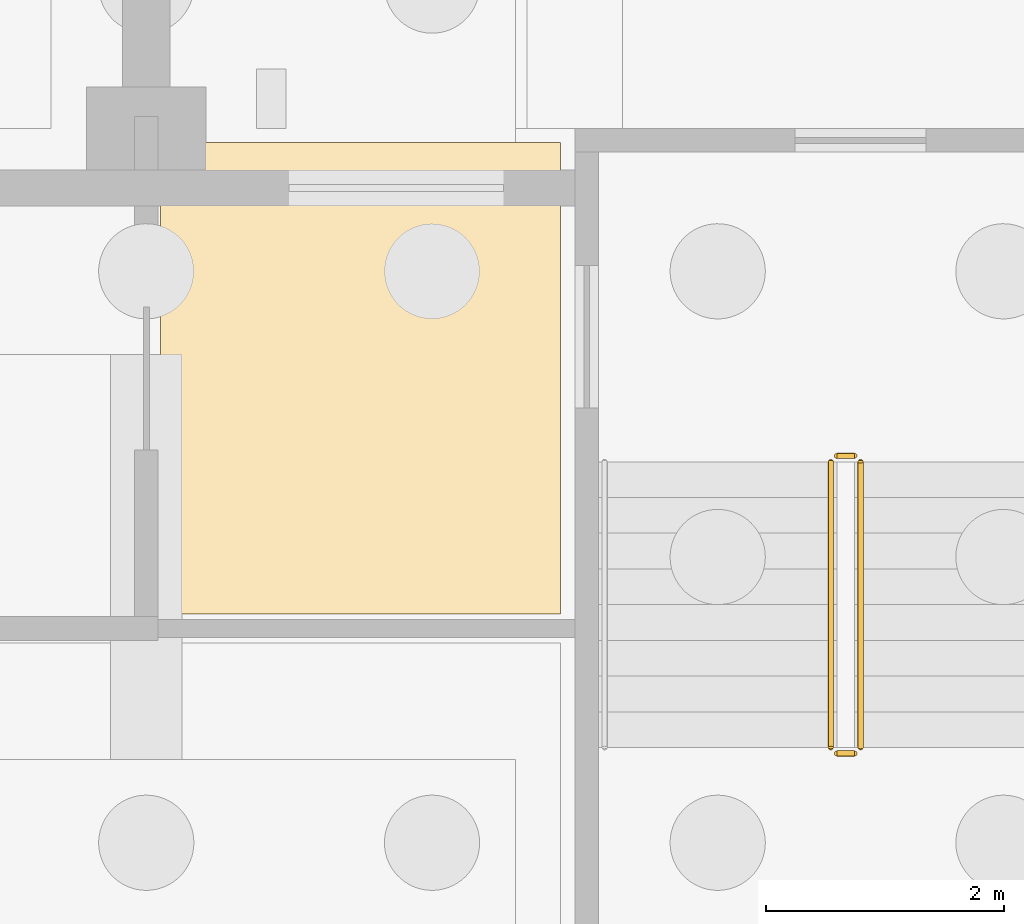
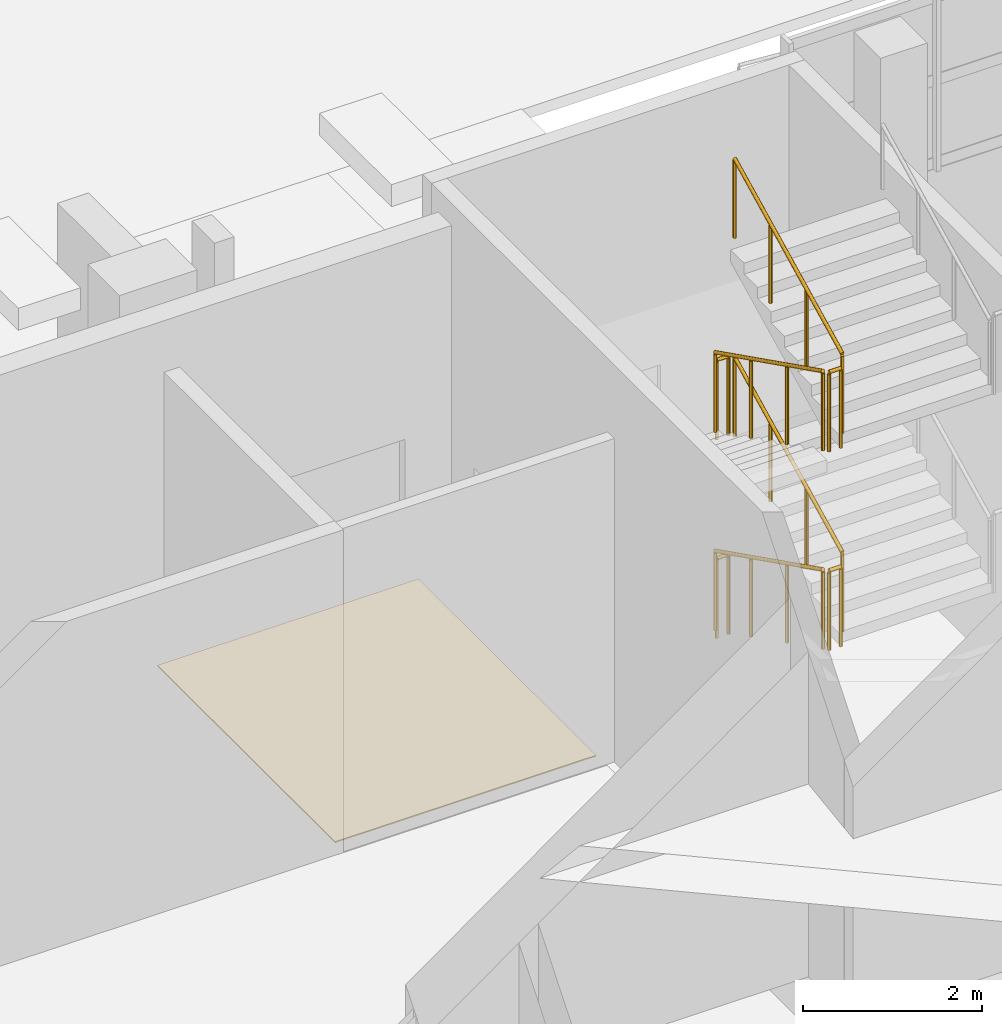
# One storey, part 116 of 129: 8 railings, 1 covering.
"""IFC4 building model written with IfcOpenShell, lengths in metres."""

import ifcopenshell
import ifcopenshell.guid

model = None  # the IFC model being written
_history = None  # IfcOwnerHistory: only IFC2X3 demands one
_inside = {}  # id of a spatial element -> (the spatial element, [elements in it])
_under = {}  # id of a project, library or spatial element -> (it, [spatial elements below it])
_declared = {}  # id of a project -> (the project, [libraries it declares])
_typed = {}  # id of a type object -> (the type object, [elements of that type])
_made_of = {}  # id of a material, layer set ... -> (it, [elements and type objects made of it])


def new_model(schema):
    """Start an empty IFC model of exactly this schema.

    Asked for "IFC4X3", IfcOpenShell would pick the latest addendum, in which some entities
    have other attributes; the version numbers below select the first issue.
    IFC2X3 requires an IfcOwnerHistory on every rooted entity: one is made here for all.
    """
    global model, _history
    if schema == "IFC4X3":
        model = ifcopenshell.file(schema_version=(4, 3, 0, 0))
    else:
        model = ifcopenshell.file(schema=schema)
    _inside.clear()
    _under.clear()
    _declared.clear()
    _typed.clear()
    _made_of.clear()
    _history = None
    if model.schema == "IFC2X3":
        org = make("IfcOrganization", Name="unknown")
        user = make(
            "IfcPersonAndOrganization",
            ThePerson=make("IfcPerson", FamilyName="unknown"),
            TheOrganization=org,
        )
        app = make(
            "IfcApplication",
            ApplicationDeveloper=org,
            Version="unknown",
            ApplicationFullName="unknown",
            ApplicationIdentifier="unknown",
        )
        _history = make(
            "IfcOwnerHistory",
            OwningUser=user,
            OwningApplication=app,
            ChangeAction="ADDED",
            CreationDate=0,
        )
    return model


def make(cls, **values):
    """One entity of the class cls with the attributes given. An attribute that is None is left unset."""
    return model.create_entity(
        cls, **{name: value for name, value in values.items() if value is not None}
    )


def rooted(cls, **values):
    """An entity with a GlobalId (a new one), such as an element, a storey or a relation."""
    return make(cls, GlobalId=ifcopenshell.guid.new(), OwnerHistory=_history, **values)


def si_unit(unit_type, name, prefix=None):
    """IfcSIUnit, for example si_unit("LENGTHUNIT", "METRE", prefix="MILLI")."""
    return make("IfcSIUnit", UnitType=unit_type, Prefix=prefix, Name=name)


def assignment(units):
    """IfcUnitAssignment: the units of a project."""
    return None if units is None else make("IfcUnitAssignment", Units=units)


def point(xyz):
    """IfcCartesianPoint."""
    return None if xyz is None else make("IfcCartesianPoint", Coordinates=xyz)


def direction(xyz):
    """IfcDirection."""
    return None if xyz is None else make("IfcDirection", DirectionRatios=xyz)


def frame(location, z_axis=None, x_axis=None):
    """IfcAxis2Placement3D, a coordinate frame: its origin and axes. An axis left out is left unset."""
    return make(
        "IfcAxis2Placement3D",
        Location=point(location),
        Axis=direction(z_axis),
        RefDirection=direction(x_axis),
    )


def frame_2d(location, x_axis=None):
    """IfcAxis2Placement2D, a coordinate frame in the plane: its origin and x axis."""
    return make(
        "IfcAxis2Placement2D", Location=point(location), RefDirection=direction(x_axis)
    )


def origin():
    """The frame at (0, 0, 0) with its axes left unset."""
    return frame((0.0, 0.0, 0.0))


def origin_2d():
    """The frame at (0, 0) in the plane with its x axis left unset."""
    return frame_2d((0.0, 0.0))


def place(relative_to, where):
    """IfcLocalPlacement: puts the frame where relative to a parent placement (None: the world)."""
    return make(
        "IfcLocalPlacement", PlacementRelTo=relative_to, RelativePlacement=where
    )


def context(
    kind, dimensions, precision=None, world=None, true_north=None, identifier=None
):
    """IfcGeometricRepresentationContext, for example the 3D "Model" context."""
    return make(
        "IfcGeometricRepresentationContext",
        ContextIdentifier=identifier,
        ContextType=kind,
        CoordinateSpaceDimension=dimensions,
        Precision=precision,
        WorldCoordinateSystem=world,
        TrueNorth=true_north,
    )


def subcontext(parent, identifier, kind, view, scale=None):
    """IfcGeometricRepresentationSubContext, for example "Body" below "Model"."""
    return make(
        "IfcGeometricRepresentationSubContext",
        ContextIdentifier=identifier,
        ContextType=kind,
        ParentContext=parent,
        TargetScale=scale,
        TargetView=view,
    )


def project(units=None, contexts=None):
    """IfcProject with its units and contexts."""
    return rooted(
        "IfcProject",
        Name="project",
        RepresentationContexts=contexts,
        UnitsInContext=assignment(units),
    )


def spatial(cls, under=None, at=None, **own):
    """A site, building, storey or space (cls), placed at a placement, below another one or the project."""
    s = rooted(cls, ObjectPlacement=at, **own)
    if under is not None:
        _under.setdefault(under.id(), (under, []))[1].append(s)
    return s


def polyline(points):
    """IfcPolyline through the points."""
    return make("IfcPolyline", Points=[point(p) for p in points])


def profile(cls, at=None, kind="AREA", **sizes):
    """A parametric profile (cls). Its sizes go by their IFC names, for example OverallWidth=200.0."""
    return make(cls, ProfileType=kind, Position=at, **sizes)


def circle(**sizes):
    """IfcCircleProfileDef."""
    return profile("IfcCircleProfileDef", **sizes)


def outline(outer, holes=None, kind="AREA"):
    """IfcArbitraryClosedProfileDef: a profile drawn as a closed curve; with holes, ...WithVoids."""
    if holes is None:
        return make("IfcArbitraryClosedProfileDef", ProfileType=kind, OuterCurve=outer)
    return make(
        "IfcArbitraryProfileDefWithVoids",
        ProfileType=kind,
        OuterCurve=outer,
        InnerCurves=holes,
    )


def extrude(swept, where, along, depth):
    """IfcExtrudedAreaSolid: the profile swept, set in the frame where, extruded along a direction by depth."""
    return make(
        "IfcExtrudedAreaSolid",
        SweptArea=swept,
        Position=where,
        ExtrudedDirection=direction(along),
        Depth=depth,
    )


def shape(context_of_items, identifier, shape_type, items):
    """IfcShapeRepresentation: the items that make up one representation, for example the "Body"."""
    return make(
        "IfcShapeRepresentation",
        ContextOfItems=context_of_items,
        RepresentationIdentifier=identifier,
        RepresentationType=shape_type,
        Items=items,
    )


def material(Name=None, Category=None):
    """IfcMaterial."""
    return make("IfcMaterial", Name=Name, Category=Category)


def layer(
    of_material, thickness, ventilated=None, Name=None, Category=None, Priority=None
):
    """IfcMaterialLayer: one layer of a wall or slab, of a material (None: an air gap)."""
    return make(
        "IfcMaterialLayer",
        Material=of_material,
        LayerThickness=thickness,
        IsVentilated=ventilated,
        Name=Name,
        Category=Category,
        Priority=Priority,
    )


def layer_set(layers, Name=None):
    """IfcMaterialLayerSet."""
    return make("IfcMaterialLayerSet", MaterialLayers=layers, LayerSetName=Name)


def made_of(thing, what):
    """Note that an element or type object is made of a material, layer set ...; save() writes the relation."""
    if what is not None:
        _made_of.setdefault(what.id(), (what, []))[1].append(thing)
    return thing


def type_object(cls, material=None, **own):
    """A type object (cls), such as IfcWallType, which elements share."""
    return made_of(rooted(cls, **own), material)


def element(
    cls,
    number,
    at=None,
    inside=None,
    cuts=None,
    type_object=None,
    material=None,
    context=None,
    identifier="Body",
    shape_type=None,
    held_by="IfcProductDefinitionShape",
    body=None,
    shapes=None,
    **own,
):
    """One element of the class cls, such as IfcWall. Its Tag is "e" and its number.

    at: its placement. inside: the storey or other place that contains it. cuts: it is an
    opening in that element (IfcRelVoidsElement). A single representation is given by context,
    identifier, shape_type and body (its items); several are given by shapes. held_by: the class
    of the entity that holds the representations. save() writes the other relations.
    """
    e = rooted(cls, Tag="e%d" % number, ObjectPlacement=at, **own)
    if body is not None:
        shapes = [shape(context, identifier, shape_type, body)]
    if shapes is not None:
        e.Representation = make(held_by, Representations=shapes)
    if inside is not None:
        _inside.setdefault(inside.id(), (inside, []))[1].append(e)
    if cuts is not None:
        rooted(
            "IfcRelVoidsElement", RelatingBuildingElement=cuts, RelatedOpeningElement=e
        )
    if type_object is not None:
        _typed.setdefault(type_object.id(), (type_object, []))[1].append(e)
    return made_of(e, material)


def aggregate(whole, parts):
    """IfcRelAggregates: a whole, such as a stair, and the parts it consists of."""
    return rooted("IfcRelAggregates", RelatingObject=whole, RelatedObjects=parts)


def save(model, path):
    """Write the relations noted so far, then the file.

    IfcRelAggregates (storeys below a building ...), IfcRelContainedInSpatialStructure (elements
    in a storey), IfcRelDefinesByType, IfcRelAssociatesMaterial and IfcRelDeclares: one each for
    every whole, place, type object, material and project.
    """
    for whole, parts in _under.values():
        aggregate(whole, parts)
    for where, things in _inside.values():
        rooted(
            "IfcRelContainedInSpatialStructure",
            RelatedElements=things,
            RelatingStructure=where,
        )
    for kind, things in _typed.values():
        rooted("IfcRelDefinesByType", RelatedObjects=things, RelatingType=kind)
    for what, things in _made_of.values():
        rooted("IfcRelAssociatesMaterial", RelatedObjects=things, RelatingMaterial=what)
    for by, libraries in _declared.values():
        rooted("IfcRelDeclares", RelatingContext=by, RelatedDefinitions=libraries)
    model.write(path)


model = new_model("IFC4")

# Units and contexts
model_context = context("Model", 3, precision=1e-05, world=origin(), true_north=direction((0.0, 1.0)))
body_context = subcontext(model_context, "Body", "Model", "MODEL_VIEW")
ifc_project = project(units=[si_unit("LENGTHUNIT", "METRE"), si_unit("AREAUNIT", "SQUARE_METRE"), si_unit("VOLUMEUNIT", "CUBIC_METRE"), si_unit("PLANEANGLEUNIT", "RADIAN"), si_unit("MASSUNIT", "GRAM", prefix="KILO")], contexts=[model_context])

# Site, building, storey
site_placement = place(None, origin())
site = spatial("IfcSite", under=ifc_project, at=site_placement, CompositionType="ELEMENT")
building_placement = place(site_placement, origin())
building = spatial("IfcBuilding", under=site, at=building_placement, Name="Kiln Court Media Centre", CompositionType="ELEMENT")
storey_placement = place(building_placement, origin())
storey = spatial("IfcBuildingStorey", under=building, at=storey_placement, Name="L00", CompositionType="ELEMENT", Elevation=0.0)

# Covering
ifc_material_1 = material(Name="Carpet tile")
ifc_layer = layer(ifc_material_1, 0.014892578125)
ifc_layer_set = layer_set([ifc_layer], Name="Carpet tile floor finish 15")
covering_type = type_object("IfcCoveringType", Name="Carpet tile floor finish 15", PredefinedType="FLOORING", material=ifc_layer_set)
covering_placement = place(storey_placement, origin())
element("IfcCovering", 1, at=covering_placement, inside=storey, type_object=covering_type, Name="Cinema Manager Room floor finish", PredefinedType="FLOORING", context=body_context, shape_type="SweptSolid", body=[
    extrude(outline(polyline([(25.320068359375, 63.1201171875), (28.679931640625, 63.1201171875), (28.679931640625, 67.080078125), (25.320068359375, 67.080078125), (25.320068359375, 63.1201171875)])), origin(), (0.0, 0.0, 1.0), 0.014892578125),
])

# Railings
ifc_material_2 = material(Name="Steel S275", Category="steel")
railing_type = type_object("IfcRailingType", Name="Steel S275 stair guard 1100", PredefinedType="GUARDRAIL", material=ifc_material_2)
railing_1_placement = place(storey_placement, frame((30.949951171875, 64.39990234375, 0.14990234375)))
element("IfcRailing", 2, at=railing_1_placement, inside=storey, type_object=railing_type, Name="ST-08 stair guard", PredefinedType="GUARDRAIL", context=body_context, shape_type="SweptSolid", body=[
    extrude(circle(Radius=0.02392578125, at=origin_2d()), frame((0.0, 0.0, 1.076171875), z_axis=(0.0, -0.894390793703, 0.44728638269), x_axis=(1.0, 0.0, 0.0)), (0.0, 0.0, 1.0), 2.683349609375),
    extrude(circle(Radius=0.02099609375, at=origin_2d()), origin(), (0.0, 0.0, 1.0), 1.052001953125),
    extrude(circle(Radius=0.02099609375, at=origin_2d()), frame((0.0, -0.800048828125, 0.400146484375)), (0.0, 0.0, 1.0), 1.052001953125),
    extrude(circle(Radius=0.02099609375, at=origin_2d()), frame((0.0, -1.599853515625, 0.800048828125)), (0.0, 0.0, 1.0), 1.052001953125),
    extrude(circle(Radius=0.02099609375, at=origin_2d()), frame((0.0, -2.39990234375, 1.2001953125)), (0.0, 0.0, 1.0), 1.052001953125),
])
railing_2_placement = place(storey_placement, frame((31.0, 61.949951171875, 1.35009765625)))
element("IfcRailing", 3, at=railing_2_placement, inside=storey, type_object=railing_type, Name="ST-08 stair guard", PredefinedType="GUARDRAIL", context=body_context, shape_type="SweptSolid", body=[
    extrude(circle(Radius=0.02392578125, at=origin_2d()), frame((0.0, 0.0, 1.076171875), z_axis=(1.0, 0.0, 0.0), x_axis=(0.0, 1.0, 0.0)), (0.0, 0.0, 1.0), 0.14990234375),
    extrude(circle(Radius=0.02099609375, at=origin_2d()), origin(), (0.0, 0.0, 1.0), 1.052001953125),
    extrude(circle(Radius=0.02099609375, at=origin_2d()), frame((0.14990234375, 0.0, 0.0)), (0.0, 0.0, 1.0), 1.052001953125),
])
railing_3_placement = place(storey_placement, frame((31.199951171875, 62.0, 1.5)))
element("IfcRailing", 4, at=railing_3_placement, inside=storey, type_object=railing_type, Name="ST-08 stair guard", PredefinedType="GUARDRAIL", context=body_context, shape_type="SweptSolid", body=[
    extrude(circle(Radius=0.02392578125, at=origin_2d()), frame((0.0, 0.0, 1.076171875), z_axis=(0.0, 0.894427191, 0.4472135955), x_axis=(-1.0, 0.0, 0.0)), (0.0, 0.0, 1.0), 2.68310546875),
    extrude(circle(Radius=0.02099609375, at=origin_2d()), origin(), (0.0, 0.0, 1.0), 1.052001953125),
    extrude(circle(Radius=0.02099609375, at=origin_2d()), frame((0.0, 0.800048828125, 0.39990234375)), (0.0, 0.0, 1.0), 1.052001953125),
    extrude(circle(Radius=0.02099609375, at=origin_2d()), frame((0.0, 1.599853515625, 0.800048828125)), (0.0, 0.0, 1.0), 1.052001953125),
    extrude(circle(Radius=0.02099609375, at=origin_2d()), frame((0.0, 2.39990234375, 1.199951171875)), (0.0, 0.0, 1.0), 1.052001953125),
])
railing_4_placement = place(storey_placement, frame((31.0, 64.449951171875, 2.699951171875)))
element("IfcRailing", 5, at=railing_4_placement, inside=storey, type_object=railing_type, Name="ST-08 stair guard", PredefinedType="GUARDRAIL", context=body_context, shape_type="SweptSolid", body=[
    extrude(circle(Radius=0.02392578125, at=origin_2d()), frame((0.0, 0.0, 1.076171875), z_axis=(1.0, 0.0, 0.0), x_axis=(0.0, 1.0, 0.0)), (0.0, 0.0, 1.0), 0.14990234375),
    extrude(circle(Radius=0.02099609375, at=origin_2d()), origin(), (0.0, 0.0, 1.0), 1.052001953125),
    extrude(circle(Radius=0.02099609375, at=origin_2d()), frame((0.14990234375, 0.0, 0.0)), (0.0, 0.0, 1.0), 1.052001953125),
])
railing_5_placement = place(storey_placement, frame((30.949951171875, 64.39990234375, 2.85009765625)))
element("IfcRailing", 6, at=railing_5_placement, inside=storey, type_object=railing_type, Name="ST-08 stair guard", PredefinedType="GUARDRAIL", context=body_context, shape_type="SweptSolid", body=[
    extrude(circle(Radius=0.02392578125, at=origin_2d()), frame((0.0, 0.0, 1.076171875), z_axis=(0.0, -0.894427191, 0.4472135955), x_axis=(1.0, 0.0, 0.0)), (0.0, 0.0, 1.0), 2.68310546875),
    extrude(circle(Radius=0.02099609375, at=origin_2d()), origin(), (0.0, 0.0, 1.0), 1.052001953125),
    extrude(circle(Radius=0.02099609375, at=origin_2d()), frame((0.0, -0.800048828125, 0.39990234375)), (0.0, 0.0, 1.0), 1.052001953125),
    extrude(circle(Radius=0.02099609375, at=origin_2d()), frame((0.0, -1.599853515625, 0.800048828125)), (0.0, 0.0, 1.0), 1.052001953125),
    extrude(circle(Radius=0.02099609375, at=origin_2d()), frame((0.0, -2.39990234375, 1.199951171875)), (0.0, 0.0, 1.0), 1.052001953125),
])
railing_6_placement = place(storey_placement, frame((31.0, 61.949951171875, 4.050048828125)))
element("IfcRailing", 7, at=railing_6_placement, inside=storey, type_object=railing_type, Name="ST-08 stair guard", PredefinedType="GUARDRAIL", context=body_context, shape_type="SweptSolid", body=[
    extrude(circle(Radius=0.02392578125, at=origin_2d()), frame((0.0, 0.0, 1.076171875), z_axis=(1.0, 0.0, 0.0), x_axis=(0.0, 1.0, 0.0)), (0.0, 0.0, 1.0), 0.14990234375),
    extrude(circle(Radius=0.02099609375, at=origin_2d()), origin(), (0.0, 0.0, 1.0), 1.052001953125),
    extrude(circle(Radius=0.02099609375, at=origin_2d()), frame((0.14990234375, 0.0, 0.0)), (0.0, 0.0, 1.0), 1.052001953125),
])
railing_7_placement = place(storey_placement, frame((31.199951171875, 62.0, 4.199951171875)))
element("IfcRailing", 8, at=railing_7_placement, inside=storey, type_object=railing_type, Name="ST-08 stair guard", PredefinedType="GUARDRAIL", context=body_context, shape_type="SweptSolid", body=[
    extrude(circle(Radius=0.02392578125, at=origin_2d()), frame((0.0, 0.0, 1.076171875), z_axis=(0.0, 0.894427191, 0.4472135955), x_axis=(-1.0, 0.0, 0.0)), (0.0, 0.0, 1.0), 2.68310546875),
    extrude(circle(Radius=0.02099609375, at=origin_2d()), origin(), (0.0, 0.0, 1.0), 1.052001953125),
    extrude(circle(Radius=0.02099609375, at=origin_2d()), frame((0.0, 0.800048828125, 0.39990234375)), (0.0, 0.0, 1.0), 1.052001953125),
    extrude(circle(Radius=0.02099609375, at=origin_2d()), frame((0.0, 1.599853515625, 0.800048828125)), (0.0, 0.0, 1.0), 1.052001953125),
    extrude(circle(Radius=0.02099609375, at=origin_2d()), frame((0.0, 2.39990234375, 1.199951171875)), (0.0, 0.0, 1.0), 1.052001953125),
])
railing_8_placement = place(storey_placement, frame((31.0, 64.449951171875, 0.0)))
element("IfcRailing", 9, at=railing_8_placement, inside=storey, type_object=railing_type, Name="ST-08 stair guard", PredefinedType="GUARDRAIL", context=body_context, shape_type="SweptSolid", body=[
    extrude(circle(Radius=0.02392578125, at=origin_2d()), frame((0.0, 0.0, 1.076171875), z_axis=(1.0, 0.0, 0.0), x_axis=(0.0, 1.0, 0.0)), (0.0, 0.0, 1.0), 0.14990234375),
    extrude(circle(Radius=0.02099609375, at=origin_2d()), origin(), (0.0, 0.0, 1.0), 1.052001953125),
    extrude(circle(Radius=0.02099609375, at=origin_2d()), frame((0.14990234375, 0.0, 0.0)), (0.0, 0.0, 1.0), 1.052001953125),
])

save(model, "model.ifc")
